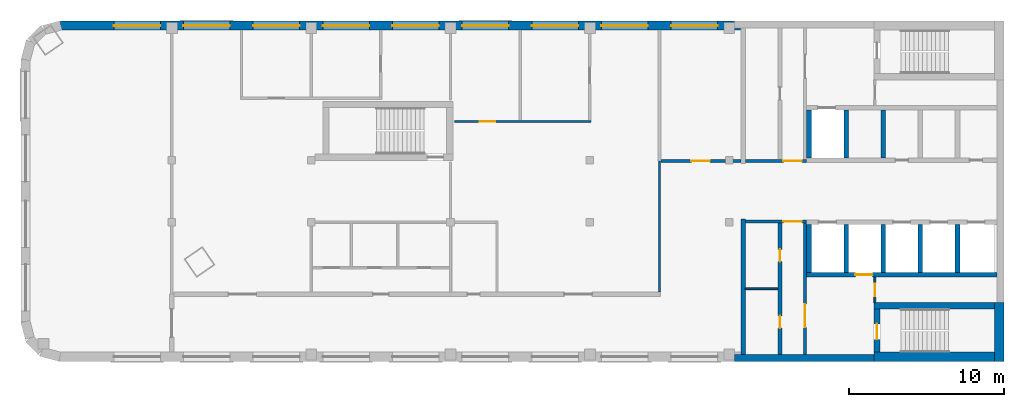
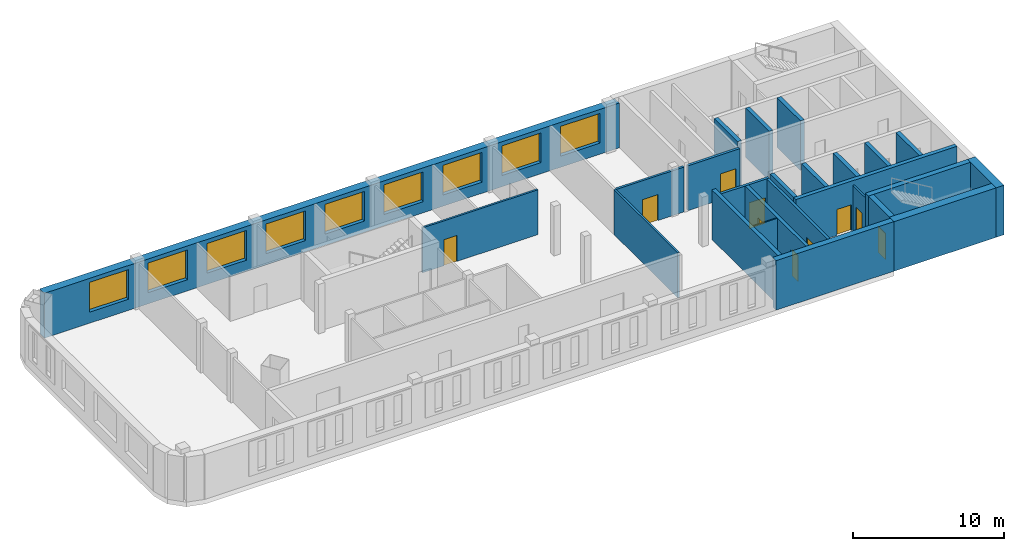
# One storey, part 3 of 5: 25 walls, 10 doors, 9 windows, 19 openings.
"""IFC4 building model written with IfcOpenShell, lengths in metres."""

from ifc_helpers import new_model, si_unit, direction, frame, frame_2d, origin, place, context, subcontext, project, spatial, rectangle, extrude, material, layer, layer_set, type_object, element, fill, save


model = new_model("IFC4")

# Units and contexts
model_context = context("Model", 3, precision=1e-05, world=origin(), true_north=direction((0.0, 1.0)))
body_context = subcontext(model_context, "Body", "Model", "MODEL_VIEW")
ifc_project = project(units=[si_unit("LENGTHUNIT", "METRE"), si_unit("AREAUNIT", "SQUARE_METRE"), si_unit("VOLUMEUNIT", "CUBIC_METRE"), si_unit("PLANEANGLEUNIT", "RADIAN"), si_unit("MASSUNIT", "GRAM", prefix="KILO")], contexts=[model_context])

# Site, building, storey
site_placement = place(None, origin())
site = spatial("IfcSite", under=ifc_project, at=site_placement, CompositionType="ELEMENT")
building_placement = place(site_placement, origin())
building = spatial("IfcBuilding", under=site, at=building_placement, Name="Skarvind Civic Tower", CompositionType="ELEMENT")
storey_placement = place(building_placement, frame((0.0, 0.0, 257.5)))
storey = spatial("IfcBuildingStorey", under=building, at=storey_placement, Name="L61", CompositionType="ELEMENT", Elevation=257.5)

# Wall, opening, door
ifc_material_1 = material(Name="Acoustic gypsum board on steel studs", Category="steel")
ifc_layer_1 = layer(ifc_material_1, 0.175048828125)
ifc_layer_set_1 = layer_set([ifc_layer_1], Name="ACOUSTIC MEETING-ROOM PARTITION 175")
wall_type_1 = type_object("IfcWallType", Name="ACOUSTIC MEETING-ROOM PARTITION 175", PredefinedType="PARTITIONING", material=ifc_layer_set_1)
wall_1_placement = place(storey_placement, frame((85.837890625, 129.949951171875, 0.0), z_axis=(0.0, 0.0, 1.0), x_axis=(1.0, 0.0, 0.0)))
wall_1 = element("IfcWall", 1, at=wall_1_placement, inside=storey, type_object=wall_type_1, Name="Partition 61.023", PredefinedType="PARTITIONING", context=body_context, shape_type="SweptSolid", body=[
    extrude(rectangle(XDim=5.162109375, YDim=0.175048828125, at=frame_2d((2.5810546875, 0.0))), origin(), (0.0, 0.0, 1.0), 3.625),
])
opening_1_placement = place(wall_1_placement, frame((1.970947265625, 0.0, 0.0)))
opening_1 = element("IfcOpeningElement", 2, at=opening_1_placement, cuts=wall_1, Name="Opening L61-D001", PredefinedType="OPENING", context=body_context, shape_type="SweptSolid", body=[
    extrude(rectangle(XDim=1.199951171875, YDim=2.10009765625, at=frame_2d((0.60009765625, 1.050048828125))), frame((0.0, 0.097412109375, 0.0), z_axis=(0.0, -1.0, 0.0), x_axis=(1.0, 0.0, 0.0)), (0.0, 0.0, 1.0), 0.195068359375),
])
ifc_material_2 = material(Name="Timber door leaf", Category="wood")
door_type_1 = type_object("IfcDoorType", Name="DOOR 1200X2100 DOUBLE TIMBER", OperationType="NOTDEFINED", PredefinedType="DOOR", material=ifc_material_2)
door_1_placement = place(opening_1_placement, origin())
door_1 = element("IfcDoor", 3, at=door_1_placement, inside=storey, type_object=door_type_1, Name="Door L61-D001", OperationType="DOUBLE_DOOR_SINGLE_SWING", OverallHeight=2.10009765625, OverallWidth=1.199951171875, PredefinedType="DOOR", context=body_context, shape_type="SweptSolid", body=[
    extrude(rectangle(XDim=1.199951171875, YDim=2.10009765625, at=frame_2d((0.60009765625, 1.050048828125))), frame((0.0, 0.02490234375, 0.0), z_axis=(0.0, -1.0, 0.0), x_axis=(1.0, 0.0, 0.0)), (0.0, 0.0, 1.0), 0.050048828125),
])
fill(opening_1, door_1)

ifc_material_3 = material(Name="Fire-rated masonry partition", Category="masonry")
ifc_layer_2 = layer(ifc_material_3, 0.199951171875)
ifc_layer_set_2 = layer_set([ifc_layer_2], Name="Core enclosure wall 200")
wall_type_2 = type_object("IfcWallType", Name="Core enclosure wall 200", PredefinedType="PARTITIONING", material=ifc_layer_set_2)
wall_2_placement = place(storey_placement, frame((95.25, 126.050048828125, 0.0), z_axis=(0.0, 0.0, 1.0), x_axis=(-1.0, 0.0, 0.0)))
wall_2 = element("IfcWall", 4, at=wall_2_placement, inside=storey, type_object=wall_type_2, Name="Core wall C1", PredefinedType="PARTITIONING", context=body_context, shape_type="SweptSolid", body=[
    extrude(rectangle(XDim=3.949951171875, YDim=0.199951171875, at=frame_2d((1.97509765625, 0.0))), origin(), (0.0, 0.0, 1.0), 3.625),
])
opening_2_placement = place(wall_2_placement, frame((0.300048828125, 0.0, 0.0)))
opening_2 = element("IfcOpeningElement", 5, at=opening_2_placement, cuts=wall_2, Name="Opening D-L61-C1-07", PredefinedType="OPENING", context=body_context, shape_type="SweptSolid", body=[
    extrude(rectangle(XDim=1.199951171875, YDim=2.10009765625, at=frame_2d((0.60009765625, 1.050048828125))), frame((0.0, 0.10986328125, 0.0), z_axis=(0.0, -1.0, 0.0), x_axis=(1.0, 0.0, 0.0)), (0.0, 0.0, 1.0), 0.219970703125),
])
ifc_material_4 = material(Name="Fire-rated steel door", Category="steel")
door_type_2 = type_object("IfcDoorType", Name="Core lobby door 1200", OperationType="NOTDEFINED", PredefinedType="DOOR", material=ifc_material_4)
door_2_placement = place(opening_2_placement, origin())
door_2 = element("IfcDoor", 6, at=door_2_placement, inside=storey, type_object=door_type_2, Name="Fire door", OperationType="DOUBLE_DOOR_SINGLE_SWING", OverallHeight=2.10009765625, OverallWidth=1.199951171875, PredefinedType="DOOR", context=body_context, shape_type="SweptSolid", body=[
    extrude(rectangle(XDim=1.199951171875, YDim=2.10009765625, at=frame_2d((0.60009765625, 1.050048828125))), frame((0.0, 0.02490234375, 0.0), z_axis=(0.0, -1.0, 0.0), x_axis=(1.0, 0.0, 0.0)), (0.0, 0.0, 1.0), 0.050048828125),
])
fill(opening_2, door_2)

wall_3_placement = place(storey_placement, frame((95.14990234375, 117.449951171875, 0.0), z_axis=(0.0, 0.0, 1.0), x_axis=(0.0, 1.0, 0.0)))
wall_3 = element("IfcWall", 7, at=wall_3_placement, inside=storey, type_object=wall_type_2, Name="Core wall C1", PredefinedType="PARTITIONING", context=body_context, shape_type="SweptSolid", body=[
    extrude(rectangle(XDim=8.5, YDim=0.199951171875, at=frame_2d((4.25, 0.0))), origin(), (0.0, 0.0, 1.0), 3.625),
])
opening_3_placement = place(wall_3_placement, frame((1.75, 0.0, 0.0)))
opening_3 = element("IfcOpeningElement", 8, at=opening_3_placement, cuts=wall_3, Name="Opening D-L61-C1-08", PredefinedType="OPENING", context=body_context, shape_type="SweptSolid", body=[
    extrude(rectangle(XDim=1.5, YDim=2.10009765625, at=frame_2d((0.75, 1.050048828125))), frame((0.0, 0.10986328125, 0.0), z_axis=(0.0, -1.0, 0.0), x_axis=(1.0, 0.0, 0.0)), (0.0, 0.0, 1.0), 0.219970703125),
])
door_type_3 = type_object("IfcDoorType", Name="Fire door 1500", OperationType="NOTDEFINED", PredefinedType="DOOR", material=ifc_material_4)
door_3_placement = place(opening_3_placement, origin())
door_3 = element("IfcDoor", 9, at=door_3_placement, inside=storey, type_object=door_type_3, Name="Fire door", OperationType="DOUBLE_DOOR_SINGLE_SWING", OverallHeight=2.10009765625, OverallWidth=1.5, PredefinedType="DOOR", context=body_context, shape_type="SweptSolid", body=[
    extrude(rectangle(XDim=1.5, YDim=2.10009765625, at=frame_2d((0.75, 1.050048828125))), frame((0.0, 0.02490234375, 0.0), z_axis=(0.0, -1.0, 0.0), x_axis=(1.0, 0.0, 0.0)), (0.0, 0.0, 1.0), 0.050048828125),
])
fill(opening_3, door_3)

wall_4_placement = place(storey_placement, frame((91.300048828125, 129.949951171875, 0.0), z_axis=(0.0, 0.0, 1.0), x_axis=(1.0, 0.0, 0.0)))
wall_4 = element("IfcWall", 10, at=wall_4_placement, inside=storey, type_object=wall_type_2, Name="Core wall C1", PredefinedType="PARTITIONING", context=body_context, shape_type="SweptSolid", body=[
    extrude(rectangle(XDim=3.949951171875, YDim=0.199951171875, at=frame_2d((1.97509765625, 0.0))), origin(), (0.0, 0.0, 1.0), 3.625),
])
opening_4_placement = place(wall_4_placement, frame((2.449951171875, 0.0, 0.0)))
opening_4 = element("IfcOpeningElement", 11, at=opening_4_placement, cuts=wall_4, Name="Opening D-L61-C1-13", PredefinedType="OPENING", context=body_context, shape_type="SweptSolid", body=[
    extrude(rectangle(XDim=1.199951171875, YDim=2.10009765625, at=frame_2d((0.60009765625, 1.050048828125))), frame((0.0, 0.10986328125, 0.0), z_axis=(0.0, -1.0, 0.0), x_axis=(1.0, 0.0, 0.0)), (0.0, 0.0, 1.0), 0.219970703125),
])
door_4_placement = place(opening_4_placement, origin())
door_4 = element("IfcDoor", 12, at=door_4_placement, inside=storey, type_object=door_type_2, Name="Fire door", OperationType="DOUBLE_DOOR_SINGLE_SWING", OverallHeight=2.10009765625, OverallWidth=1.199951171875, PredefinedType="DOOR", context=body_context, shape_type="SweptSolid", body=[
    extrude(rectangle(XDim=1.199951171875, YDim=2.10009765625, at=frame_2d((0.60009765625, 1.050048828125))), frame((0.0, 0.02490234375, 0.0), z_axis=(0.0, -1.0, 0.0), x_axis=(1.0, 0.0, 0.0)), (0.0, 0.0, 1.0), 0.050048828125),
])
fill(opening_4, door_4)

# Walls
ifc_material_5 = material(Name="Fire-rated plasterboard partition")
ifc_layer_3 = layer(ifc_material_5, 0.10009765625)
ifc_layer_set_3 = layer_set([ifc_layer_3], Name="Core partition wall 100")
wall_type_3 = type_object("IfcWallType", Name="Core partition wall 100", PredefinedType="PARTITIONING", material=ifc_layer_set_3)
wall_5_placement = place(storey_placement, frame((93.39990234375, 121.699951171875, 0.0), z_axis=(0.0, 0.0, 1.0), x_axis=(-1.0, 0.0, 0.0)))
element("IfcWall", 13, at=wall_5_placement, inside=storey, type_object=wall_type_3, Name="Core wall C1", PredefinedType="PARTITIONING", context=body_context, shape_type="SweptSolid", body=[
    extrude(rectangle(XDim=2.099853515625, YDim=0.10009765625, at=frame_2d((1.0498046875, 0.0))), origin(), (0.0, 0.0, 1.0), 3.625),
])
ifc_material_6 = material(Name="Concrete C60", Category="concrete")
ifc_layer_4 = layer(ifc_material_6, 0.300048828125)
ifc_layer_set_4 = layer_set([ifc_layer_4], Name="Core wall 300 C60")
wall_type_4 = type_object("IfcWallType", Name="Core wall 300 C60", PredefinedType="SHEAR", material=ifc_layer_set_4)
for number, where, z_axis, x_axis, name in (
    (14, (100.199951171875, 133.25, 0.0), (0.0, 0.0, 1.0), (0.0, -1.0, 0.0), "Core wall C1 south lift row division 3 L61"),
    (15, (97.800048828125, 133.25, 0.0), (0.0, 0.0, 1.0), (0.0, -1.0, 0.0), "Core wall C1 south lift row division 4 L61"),
    (16, (95.39990234375, 133.25, 0.0), (0.0, 0.0, 1.0), (0.0, -1.0, 0.0), "Core wall C1 south lift row division 5 L61"),
):
    element("IfcWall", number, at=place(storey_placement, frame(where, z_axis=z_axis, x_axis=x_axis)), inside=storey, type_object=wall_type_4, Name=name, PredefinedType="SHEAR", context=body_context, shape_type="SweptSolid", body=[
        extrude(rectangle(XDim=3.10009765625, YDim=0.300048828125, at=frame_2d((1.550048828125, 0.0))), origin(), (0.0, 0.0, 1.0), 4.0),
    ])

# Wall, opening, door
wall_6_placement = place(storey_placement, frame((107.550048828125, 122.60009765625, 0.0), z_axis=(0.0, 0.0, 1.0), x_axis=(-1.0, 0.0, 0.0)))
wall_6 = element("IfcWall", 17, at=wall_6_placement, inside=storey, type_object=wall_type_4, Name="Core wall C1 north lift row back L61", PredefinedType="SHEAR", context=body_context, shape_type="SweptSolid", body=[
    extrude(rectangle(XDim=12.300048828125, YDim=0.300048828125, at=frame_2d((6.14990234375, 0.0))), origin(), (0.0, 0.0, 1.0), 4.0),
])
opening_5_placement = place(wall_6_placement, frame((8.050048828125, 0.0, 0.0)))
opening_5 = element("IfcOpeningElement", 18, at=opening_5_placement, cuts=wall_6, Name="Opening LD63104", PredefinedType="OPENING", context=body_context, shape_type="SweptSolid", body=[
    extrude(rectangle(XDim=1.10009765625, YDim=2.10009765625, at=frame_2d((0.550048828125, 1.050048828125))), frame((0.0, 0.159912109375, 0.0), z_axis=(0.0, -1.0, 0.0), x_axis=(1.0, 0.0, 0.0)), (0.0, 0.0, 1.0), 0.320068359375),
])
ifc_material_7 = material(Name="Stainless steel landing door", Category="steel")
door_type_4 = type_object("IfcDoorType", Name="Lift landing door 1100", OperationType="DOUBLE_DOOR_SLIDING", PredefinedType="DOOR", material=ifc_material_7)
door_5_placement = place(opening_5_placement, origin())
door_5 = element("IfcDoor", 19, at=door_5_placement, inside=storey, type_object=door_type_4, Name="Lift landing door", OperationType="DOUBLE_DOOR_SLIDING", OverallHeight=2.10009765625, OverallWidth=1.10009765625, PredefinedType="DOOR", context=body_context, shape_type="SweptSolid", body=[
    extrude(rectangle(XDim=1.10009765625, YDim=2.10009765625, at=frame_2d((0.550048828125, 1.050048828125))), frame((0.0, 0.02490234375, 0.0), z_axis=(0.0, -1.0, 0.0), x_axis=(1.0, 0.0, 0.0)), (0.0, 0.0, 1.0), 0.050048828125),
])
fill(opening_5, door_5)

# Walls
for number, where, z_axis, x_axis, name in (
    (20, (105.0, 125.85009765625, 0.0), (0.0, 0.0, 1.0), (0.0, -1.0, 0.0), "Core wall C1 north lift row division 1 L61"),
    (21, (102.60009765625, 125.85009765625, 0.0), (0.0, 0.0, 1.0), (0.0, -1.0, 0.0), "Core wall C1 north lift row division 2 L61"),
    (22, (100.199951171875, 125.85009765625, 0.0), (0.0, 0.0, 1.0), (0.0, -1.0, 0.0), "Core wall C1 north lift row division 3 L61"),
    (23, (97.800048828125, 125.85009765625, 0.0), (0.0, 0.0, 1.0), (0.0, -1.0, 0.0), "Core wall C1 north lift row division 4 L61"),
    (24, (95.39990234375, 125.85009765625, 0.0), (0.0, 0.0, 1.0), (0.0, -1.0, 0.0), "Core wall C1 north lift row division 5 L61"),
):
    element("IfcWall", number, at=place(storey_placement, frame(where, z_axis=z_axis, x_axis=x_axis)), inside=storey, type_object=wall_type_4, Name=name, PredefinedType="SHEAR", context=body_context, shape_type="SweptSolid", body=[
        extrude(rectangle(XDim=3.10009765625, YDim=0.300048828125, at=frame_2d((1.550048828125, 0.0))), origin(), (0.0, 0.0, 1.0), 4.0),
    ])
wall_7_placement = place(storey_placement, frame((91.14990234375, 126.199951171875, 0.0), z_axis=(0.0, 0.0, 1.0), x_axis=(0.0, -1.0, 0.0)))
element("IfcWall", 25, at=wall_7_placement, inside=storey, type_object=wall_type_4, Name="Core wall C1 north inner face L61", PredefinedType="SHEAR", context=body_context, shape_type="SweptSolid", body=[
    extrude(rectangle(XDim=8.75, YDim=0.300048828125, at=frame_2d((4.375, 0.0))), origin(), (0.0, 0.0, 1.0), 4.0),
])
ifc_layer_5 = layer(ifc_material_6, 0.39990234375)
ifc_layer_set_5 = layer_set([ifc_layer_5], Name="Core wall 400 C60")
wall_type_5 = type_object("IfcWallType", Name="Core wall 400 C60", PredefinedType="SHEAR", material=ifc_layer_set_5)
wall_8_placement = place(storey_placement, frame((107.39990234375, 120.60009765625, 0.0), z_axis=(0.0, 0.0, 1.0), x_axis=(-1.0, 0.0, 0.0)))
element("IfcWall", 26, at=wall_8_placement, inside=storey, type_object=wall_type_5, Name="Core wall C1 north stair inner L61", PredefinedType="SHEAR", context=body_context, shape_type="SweptSolid", body=[
    extrude(rectangle(XDim=7.7998046875, YDim=0.39990234375, at=frame_2d((3.89990234375, 0.0))), origin(), (0.0, 0.0, 1.0), 4.0),
])

# Wall, opening, door
wall_9_placement = place(storey_placement, frame((99.800048828125, 120.39990234375, 0.0), z_axis=(0.0, 0.0, 1.0), x_axis=(0.0, -1.0, 0.0)))
wall_9 = element("IfcWall", 27, at=wall_9_placement, inside=storey, type_object=wall_type_5, Name="Core wall C1 north stair end L61", PredefinedType="SHEAR", context=body_context, shape_type="SweptSolid", body=[
    extrude(rectangle(XDim=2.7998046875, YDim=0.39990234375, at=frame_2d((1.39990234375, 0.0))), origin(), (0.0, 0.0, 1.0), 4.0),
])
opening_6_placement = place(wall_9_placement, frame((0.97509765625, 0.0, 0.0)))
opening_6 = element("IfcOpeningElement", 28, at=opening_6_placement, cuts=wall_9, Name="Opening D-L61-C1-09", PredefinedType="OPENING", context=body_context, shape_type="SweptSolid", body=[
    extrude(rectangle(XDim=1.0, YDim=2.10009765625, at=frame_2d((0.5, 1.050048828125))), frame((0.0, 0.2099609375, 0.0), z_axis=(0.0, -1.0, 0.0), x_axis=(1.0, 0.0, 0.0)), (0.0, 0.0, 1.0), 0.419921875),
])
door_type_5 = type_object("IfcDoorType", Name="Fire door 1000", OperationType="NOTDEFINED", PredefinedType="DOOR", material=ifc_material_4)
door_6_placement = place(opening_6_placement, origin())
door_6 = element("IfcDoor", 29, at=door_6_placement, inside=storey, type_object=door_type_5, Name="Fire door", OperationType="SINGLE_SWING_LEFT", OverallHeight=2.10009765625, OverallWidth=1.0, PredefinedType="DOOR", context=body_context, shape_type="SweptSolid", body=[
    extrude(rectangle(XDim=1.0, YDim=2.10009765625, at=frame_2d((0.5, 1.050048828125))), frame((0.0, 0.02490234375, 0.0), z_axis=(0.0, -1.0, 0.0), x_axis=(1.0, 0.0, 0.0)), (0.0, 0.0, 1.0), 0.050048828125),
])
fill(opening_6, door_6)

# Walls
ifc_layer_6 = layer(ifc_material_6, 0.449951171875)
ifc_layer_set_6 = layer_set([ifc_layer_6], Name="Core wall 450 C60")
wall_type_6 = type_object("IfcWallType", Name="Core wall 450 C60", PredefinedType="SHEAR", material=ifc_layer_set_6)
wall_10_placement = place(storey_placement, frame((99.60009765625, 117.22509765625, 0.0), z_axis=(0.0, 0.0, 1.0), x_axis=(-1.0, 0.0, 0.0)))
element("IfcWall", 30, at=wall_10_placement, inside=storey, type_object=wall_type_6, Name="Core wall C1 north side L61", PredefinedType="SHEAR", context=body_context, shape_type="SweptSolid", body=[
    extrude(rectangle(XDim=9.0, YDim=0.449951171875, at=frame_2d((4.5, 0.0))), origin(), (0.0, 0.0, 1.0), 4.0),
])
ifc_layer_7 = layer(ifc_material_6, 0.60009765625)
ifc_layer_set_7 = layer_set([ifc_layer_7], Name="Core wall 600 C60")
wall_type_7 = type_object("IfcWallType", Name="Core wall 600 C60", PredefinedType="SHEAR", material=ifc_layer_set_7)
wall_11_placement = place(storey_placement, frame((107.699951171875, 120.800048828125, 0.0), z_axis=(0.0, 0.0, 1.0), x_axis=(0.0, -1.0, 0.0)))
element("IfcWall", 31, at=wall_11_placement, inside=storey, type_object=wall_type_7, Name="Core wall C1 tip at the north stair L61", PredefinedType="SHEAR", context=body_context, shape_type="SweptSolid", body=[
    extrude(rectangle(XDim=3.800048828125, YDim=0.60009765625, at=frame_2d((1.89990234375, 0.0))), origin(), (0.0, 0.0, 1.0), 4.0),
])
wall_12_placement = place(storey_placement, frame((107.39990234375, 117.300048828125, 0.0), z_axis=(0.0, 0.0, 1.0), x_axis=(-1.0, 0.0, 0.0)))
element("IfcWall", 32, at=wall_12_placement, inside=storey, type_object=wall_type_7, Name="Core wall C1 north side at the stair L61", PredefinedType="SHEAR", context=body_context, shape_type="SweptSolid", body=[
    extrude(rectangle(XDim=7.7998046875, YDim=0.60009765625, at=frame_2d((3.89990234375, 0.0))), origin(), (0.0, 0.0, 1.0), 4.0),
])

# Wall, opening, door
ifc_material_8 = material(Name="Plasterboard partition on steel studs", Category="steel")
ifc_layer_8 = layer(ifc_material_8, 0.14990234375)
ifc_layer_set_8 = layer_set([ifc_layer_8], Name="PARTITION 150")
wall_type_8 = type_object("IfcWallType", Name="PARTITION 150", PredefinedType="PARTITIONING", material=ifc_layer_set_8)
wall_13_placement = place(storey_placement, frame((81.324951171875, 132.5, 0.0), z_axis=(0.0, 0.0, 1.0), x_axis=(-1.0, 0.0, 0.0)))
wall_13 = element("IfcWall", 33, at=wall_13_placement, inside=storey, type_object=wall_type_8, Name="Partition 61.016", PredefinedType="PARTITIONING", context=body_context, shape_type="SweptSolid", body=[
    extrude(rectangle(XDim=8.824951171875, YDim=0.14990234375, at=frame_2d((4.41259765625, 0.0))), origin(), (0.0, 0.0, 1.0), 3.625),
])
opening_7_placement = place(wall_13_placement, frame((6.199951171875, 0.0, 0.0)))
opening_7 = element("IfcOpeningElement", 34, at=opening_7_placement, cuts=wall_13, Name="Opening L61-D004", PredefinedType="OPENING", context=body_context, shape_type="SweptSolid", body=[
    extrude(rectangle(XDim=1.0, YDim=2.10009765625, at=frame_2d((0.5, 1.050048828125))), frame((0.0, 0.0849609375, 0.0), z_axis=(0.0, -1.0, 0.0), x_axis=(1.0, 0.0, 0.0)), (0.0, 0.0, 1.0), 0.169921875),
])
door_type_6 = type_object("IfcDoorType", Name="D1 1000x2100", OperationType="NOTDEFINED", PredefinedType="DOOR", material=ifc_material_2)
door_7_placement = place(opening_7_placement, origin())
door_7 = element("IfcDoor", 35, at=door_7_placement, inside=storey, type_object=door_type_6, Name="Door L61-D004", OperationType="SINGLE_SWING_RIGHT", OverallHeight=2.10009765625, OverallWidth=1.0, PredefinedType="DOOR", context=body_context, shape_type="SweptSolid", body=[
    extrude(rectangle(XDim=1.0, YDim=2.10009765625, at=frame_2d((0.5, 1.050048828125))), frame((0.0, 0.02490234375, 0.0), z_axis=(0.0, -1.0, 0.0), x_axis=(1.0, 0.0, 0.0)), (0.0, 0.0, 1.0), 0.050048828125),
])
fill(opening_7, door_7)

# Wall
wall_14_placement = place(storey_placement, frame((85.75, 121.5, 0.0), z_axis=(0.0, 0.0, 1.0), x_axis=(0.0, 1.0, 0.0)))
element("IfcWall", 36, at=wall_14_placement, inside=storey, type_object=wall_type_8, Name="Partition 61.021", PredefinedType="PARTITIONING", context=body_context, shape_type="SweptSolid", body=[
    extrude(rectangle(XDim=8.449951171875, YDim=0.14990234375, at=frame_2d((4.22509765625, 0.0))), origin(), (0.0, 0.0, 1.0), 3.625),
])

# Wall, opening, door
ifc_layer_9 = layer(ifc_material_3, 0.125)
ifc_layer_set_9 = layer_set([ifc_layer_9], Name="Riser wall 125")
wall_type_9 = type_object("IfcWallType", Name="Riser wall 125", PredefinedType="PARTITIONING", material=ifc_layer_set_9)
wall_15_placement = place(storey_placement, frame((99.66259765625, 120.800048828125, 0.0), z_axis=(0.0, 0.0, 1.0), x_axis=(0.0, 1.0, 0.0)))
wall_15 = element("IfcWall", 37, at=wall_15_placement, inside=storey, type_object=wall_type_9, Name="Core wall C1", PredefinedType="PARTITIONING", context=body_context, shape_type="SweptSolid", body=[
    extrude(rectangle(XDim=1.64990234375, YDim=0.125, at=frame_2d((0.824951171875, 0.0))), origin(), (0.0, 0.0, 1.0), 3.625),
])
opening_8_placement = place(wall_15_placement, frame((0.425048828125, 0.0, 0.0)))
opening_8 = element("IfcOpeningElement", 38, at=opening_8_placement, cuts=wall_15, Name="Opening D-L61-C1-10", PredefinedType="OPENING", context=body_context, shape_type="SweptSolid", body=[
    extrude(rectangle(XDim=0.800048828125, YDim=2.10009765625, at=frame_2d((0.39990234375, 1.050048828125))), frame((0.0, 0.072509765625, 0.0), z_axis=(0.0, -1.0, 0.0), x_axis=(1.0, 0.0, 0.0)), (0.0, 0.0, 1.0), 0.14501953125),
])
door_type_7 = type_object("IfcDoorType", Name="Core riser door 800", OperationType="NOTDEFINED", PredefinedType="DOOR", material=ifc_material_4)
door_8_placement = place(opening_8_placement, origin())
door_8 = element("IfcDoor", 39, at=door_8_placement, inside=storey, type_object=door_type_7, Name="Riser door", OperationType="SINGLE_SWING_RIGHT", OverallHeight=2.10009765625, OverallWidth=0.800048828125, PredefinedType="DOOR", context=body_context, shape_type="SweptSolid", body=[
    extrude(rectangle(XDim=0.800048828125, YDim=2.10009765625, at=frame_2d((0.39990234375, 1.050048828125))), frame((0.0, 0.02490234375, 0.0), z_axis=(0.0, -1.0, 0.0), x_axis=(1.0, 0.0, 0.0)), (0.0, 0.0, 1.0), 0.050048828125),
])
fill(opening_8, door_8)

# Wall, openings, doors
ifc_layer_10 = layer(ifc_material_3, 0.25)
ifc_layer_set_10 = layer_set([ifc_layer_10], Name="Service block wall 250")
wall_type_10 = type_object("IfcWallType", Name="Service block wall 250", PredefinedType="PARTITIONING", material=ifc_layer_set_10)
wall_16_placement = place(storey_placement, frame((93.52490234375, 117.449951171875, 0.0), z_axis=(0.0, 0.0, 1.0), x_axis=(0.0, 1.0, 0.0)))
wall_16 = element("IfcWall", 40, at=wall_16_placement, inside=storey, type_object=wall_type_10, Name="Core wall C1", PredefinedType="PARTITIONING", context=body_context, shape_type="SweptSolid", body=[
    extrude(rectangle(XDim=8.5, YDim=0.25, at=frame_2d((4.25, 0.0))), origin(), (0.0, 0.0, 1.0), 3.625),
])
opening_9_placement = place(wall_16_placement, frame((6.0, 0.0, 0.0)))
opening_9 = element("IfcOpeningElement", 41, at=opening_9_placement, cuts=wall_16, Name="Opening D-L61-C1-11", PredefinedType="OPENING", context=body_context, shape_type="SweptSolid", body=[
    extrude(rectangle(XDim=0.800048828125, YDim=2.10009765625, at=frame_2d((0.39990234375, 1.050048828125))), frame((0.0, 0.135009765625, 0.0), z_axis=(0.0, -1.0, 0.0), x_axis=(1.0, 0.0, 0.0)), (0.0, 0.0, 1.0), 0.27001953125),
])
opening_10_placement = place(wall_16_placement, frame((1.699951171875, 0.0, 0.0)))
opening_10 = element("IfcOpeningElement", 42, at=opening_10_placement, cuts=wall_16, Name="Opening D-L61-C1-12", PredefinedType="OPENING", context=body_context, shape_type="SweptSolid", body=[
    extrude(rectangle(XDim=0.800048828125, YDim=2.10009765625, at=frame_2d((0.39990234375, 1.050048828125))), frame((0.0, 0.135009765625, 0.0), z_axis=(0.0, -1.0, 0.0), x_axis=(1.0, 0.0, 0.0)), (0.0, 0.0, 1.0), 0.27001953125),
])
door_9_placement = place(opening_9_placement, origin())
door_9 = element("IfcDoor", 43, at=door_9_placement, inside=storey, type_object=door_type_7, Name="Riser door", OperationType="SINGLE_SWING_LEFT", OverallHeight=2.10009765625, OverallWidth=0.800048828125, PredefinedType="DOOR", context=body_context, shape_type="SweptSolid", body=[
    extrude(rectangle(XDim=0.800048828125, YDim=2.10009765625, at=frame_2d((0.39990234375, 1.050048828125))), frame((0.0, 0.02490234375, 0.0), z_axis=(0.0, -1.0, 0.0), x_axis=(1.0, 0.0, 0.0)), (0.0, 0.0, 1.0), 0.050048828125),
])
fill(opening_9, door_9)
door_10_placement = place(opening_10_placement, origin())
door_10 = element("IfcDoor", 44, at=door_10_placement, inside=storey, type_object=door_type_7, Name="Riser door", OperationType="SINGLE_SWING_RIGHT", OverallHeight=2.10009765625, OverallWidth=0.800048828125, PredefinedType="DOOR", context=body_context, shape_type="SweptSolid", body=[
    extrude(rectangle(XDim=0.800048828125, YDim=2.10009765625, at=frame_2d((0.39990234375, 1.050048828125))), frame((0.0, 0.02490234375, 0.0), z_axis=(0.0, -1.0, 0.0), x_axis=(1.0, 0.0, 0.0)), (0.0, 0.0, 1.0), 0.050048828125),
])
fill(opening_10, door_10)

# Wall, openings, windows
ifc_material_9 = material(Name="Standing-seam zinc cladding on insulated backing")
ifc_layer_11 = layer(ifc_material_9, 0.60009765625)
ifc_layer_set_11 = layer_set([ifc_layer_11], Name="WX2 ZINC-CLAD FACADE WALL 600")
wall_type_11 = type_object("IfcWallType", Name="WX2 ZINC-CLAD FACADE WALL 600", PredefinedType="SOLIDWALL", material=ifc_layer_set_11)
wall_17_placement = place(storey_placement, frame((47.070068359375, 138.699951171875, 0.0), z_axis=(0.0, 0.0, 1.0), x_axis=(1.0, 0.0, 0.0)))
wall_17 = element("IfcWall", 45, at=wall_17_placement, inside=storey, type_object=wall_type_11, Name="ZINC-CLAD FACADE WALL", PredefinedType="SOLIDWALL", context=body_context, shape_type="SweptSolid", body=[
    extrude(rectangle(XDim=43.909912109375, YDim=0.60009765625, at=frame_2d((21.955078125, 0.0))), origin(), (0.0, 0.0, 1.0), 3.625),
])
opening_11_placement = place(wall_17_placement, frame((3.429931640625, 0.0, 0.89990234375)))
opening_11 = element("IfcOpeningElement", 46, at=opening_11_placement, cuts=wall_17, Name="Opening WN4", PredefinedType="OPENING", context=body_context, shape_type="SweptSolid", body=[
    extrude(rectangle(XDim=3.0, YDim=2.39990234375, at=frame_2d((1.5, 1.199951171875))), frame((0.0, 0.31005859375, 0.0), z_axis=(0.0, -1.0, 0.0), x_axis=(1.0, 0.0, 0.0)), (0.0, 0.0, 1.0), 0.6201171875),
])
opening_12_placement = place(wall_17_placement, frame((7.929931640625, 0.0, 0.89990234375)))
opening_12 = element("IfcOpeningElement", 47, at=opening_12_placement, cuts=wall_17, Name="Opening WN4", PredefinedType="OPENING", context=body_context, shape_type="SweptSolid", body=[
    extrude(rectangle(XDim=3.0, YDim=2.39990234375, at=frame_2d((1.5, 1.199951171875))), frame((0.0, 0.31005859375, 0.0), z_axis=(0.0, -1.0, 0.0), x_axis=(1.0, 0.0, 0.0)), (0.0, 0.0, 1.0), 0.6201171875),
])
opening_13_placement = place(wall_17_placement, frame((12.429931640625, 0.0, 0.89990234375)))
opening_13 = element("IfcOpeningElement", 48, at=opening_13_placement, cuts=wall_17, Name="Opening WN4", PredefinedType="OPENING", context=body_context, shape_type="SweptSolid", body=[
    extrude(rectangle(XDim=3.0, YDim=2.39990234375, at=frame_2d((1.5, 1.199951171875))), frame((0.0, 0.31005859375, 0.0), z_axis=(0.0, -1.0, 0.0), x_axis=(1.0, 0.0, 0.0)), (0.0, 0.0, 1.0), 0.6201171875),
])
opening_14_placement = place(wall_17_placement, frame((16.929931640625, 0.0, 0.89990234375)))
opening_14 = element("IfcOpeningElement", 49, at=opening_14_placement, cuts=wall_17, Name="Opening WN4", PredefinedType="OPENING", context=body_context, shape_type="SweptSolid", body=[
    extrude(rectangle(XDim=3.0, YDim=2.39990234375, at=frame_2d((1.5, 1.199951171875))), frame((0.0, 0.31005859375, 0.0), z_axis=(0.0, -1.0, 0.0), x_axis=(1.0, 0.0, 0.0)), (0.0, 0.0, 1.0), 0.6201171875),
])
opening_15_placement = place(wall_17_placement, frame((21.429931640625, 0.0, 0.89990234375)))
opening_15 = element("IfcOpeningElement", 50, at=opening_15_placement, cuts=wall_17, Name="Opening WN4", PredefinedType="OPENING", context=body_context, shape_type="SweptSolid", body=[
    extrude(rectangle(XDim=3.0, YDim=2.39990234375, at=frame_2d((1.5, 1.199951171875))), frame((0.0, 0.31005859375, 0.0), z_axis=(0.0, -1.0, 0.0), x_axis=(1.0, 0.0, 0.0)), (0.0, 0.0, 1.0), 0.6201171875),
])
opening_16_placement = place(wall_17_placement, frame((25.929931640625, 0.0, 0.89990234375)))
opening_16 = element("IfcOpeningElement", 51, at=opening_16_placement, cuts=wall_17, Name="Opening WN4", PredefinedType="OPENING", context=body_context, shape_type="SweptSolid", body=[
    extrude(rectangle(XDim=3.0, YDim=2.39990234375, at=frame_2d((1.5, 1.199951171875))), frame((0.0, 0.31005859375, 0.0), z_axis=(0.0, -1.0, 0.0), x_axis=(1.0, 0.0, 0.0)), (0.0, 0.0, 1.0), 0.6201171875),
])
opening_17_placement = place(wall_17_placement, frame((30.429931640625, 0.0, 0.89990234375)))
opening_17 = element("IfcOpeningElement", 52, at=opening_17_placement, cuts=wall_17, Name="Opening WN4", PredefinedType="OPENING", context=body_context, shape_type="SweptSolid", body=[
    extrude(rectangle(XDim=3.0, YDim=2.39990234375, at=frame_2d((1.5, 1.199951171875))), frame((0.0, 0.31005859375, 0.0), z_axis=(0.0, -1.0, 0.0), x_axis=(1.0, 0.0, 0.0)), (0.0, 0.0, 1.0), 0.6201171875),
])
opening_18_placement = place(wall_17_placement, frame((34.929931640625, 0.0, 0.89990234375)))
opening_18 = element("IfcOpeningElement", 53, at=opening_18_placement, cuts=wall_17, Name="Opening WN4", PredefinedType="OPENING", context=body_context, shape_type="SweptSolid", body=[
    extrude(rectangle(XDim=3.0, YDim=2.39990234375, at=frame_2d((1.5, 1.199951171875))), frame((0.0, 0.31005859375, 0.0), z_axis=(0.0, -1.0, 0.0), x_axis=(1.0, 0.0, 0.0)), (0.0, 0.0, 1.0), 0.6201171875),
])
opening_19_placement = place(wall_17_placement, frame((39.429931640625, 0.0, 0.89990234375)))
opening_19 = element("IfcOpeningElement", 54, at=opening_19_placement, cuts=wall_17, Name="Opening WN4", PredefinedType="OPENING", context=body_context, shape_type="SweptSolid", body=[
    extrude(rectangle(XDim=3.0, YDim=2.39990234375, at=frame_2d((1.5, 1.199951171875))), frame((0.0, 0.31005859375, 0.0), z_axis=(0.0, -1.0, 0.0), x_axis=(1.0, 0.0, 0.0)), (0.0, 0.0, 1.0), 0.6201171875),
])
ifc_material_10 = material(Name="Timber frame, double glazing, copper-lined reveal", Category="wood")
window_type = type_object("IfcWindowType", Name="WN4 COPPER-LINED WINDOW 3000 x 2400", PartitioningType="SINGLE_PANEL", PredefinedType="WINDOW", material=ifc_material_10)
window_1_placement = place(opening_11_placement, origin())
window_1 = element("IfcWindow", 55, at=window_1_placement, inside=storey, type_object=window_type, Name="WN4 WINDOW", OverallHeight=2.39990234375, OverallWidth=3.0, PartitioningType="SINGLE_PANEL", PredefinedType="WINDOW", context=body_context, shape_type="SweptSolid", body=[
    extrude(rectangle(XDim=3.0, YDim=2.39990234375, at=frame_2d((1.5, 1.199951171875))), frame((0.0, 0.030029296875, 0.0), z_axis=(0.0, -1.0, 0.0), x_axis=(1.0, 0.0, 0.0)), (0.0, 0.0, 1.0), 0.06005859375),
])
fill(opening_11, window_1)
window_2_placement = place(opening_12_placement, origin())
window_2 = element("IfcWindow", 56, at=window_2_placement, inside=storey, type_object=window_type, Name="WN4 WINDOW", OverallHeight=2.39990234375, OverallWidth=3.0, PartitioningType="SINGLE_PANEL", PredefinedType="WINDOW", context=body_context, shape_type="SweptSolid", body=[
    extrude(rectangle(XDim=3.0, YDim=2.39990234375, at=frame_2d((1.5, 1.199951171875))), frame((0.0, 0.030029296875, 0.0), z_axis=(0.0, -1.0, 0.0), x_axis=(1.0, 0.0, 0.0)), (0.0, 0.0, 1.0), 0.06005859375),
])
fill(opening_12, window_2)
window_3_placement = place(opening_13_placement, origin())
window_3 = element("IfcWindow", 57, at=window_3_placement, inside=storey, type_object=window_type, Name="WN4 WINDOW", OverallHeight=2.39990234375, OverallWidth=3.0, PartitioningType="SINGLE_PANEL", PredefinedType="WINDOW", context=body_context, shape_type="SweptSolid", body=[
    extrude(rectangle(XDim=3.0, YDim=2.39990234375, at=frame_2d((1.5, 1.199951171875))), frame((0.0, 0.030029296875, 0.0), z_axis=(0.0, -1.0, 0.0), x_axis=(1.0, 0.0, 0.0)), (0.0, 0.0, 1.0), 0.06005859375),
])
fill(opening_13, window_3)
window_4_placement = place(opening_14_placement, origin())
window_4 = element("IfcWindow", 58, at=window_4_placement, inside=storey, type_object=window_type, Name="WN4 WINDOW", OverallHeight=2.39990234375, OverallWidth=3.0, PartitioningType="SINGLE_PANEL", PredefinedType="WINDOW", context=body_context, shape_type="SweptSolid", body=[
    extrude(rectangle(XDim=3.0, YDim=2.39990234375, at=frame_2d((1.5, 1.199951171875))), frame((0.0, 0.030029296875, 0.0), z_axis=(0.0, -1.0, 0.0), x_axis=(1.0, 0.0, 0.0)), (0.0, 0.0, 1.0), 0.06005859375),
])
fill(opening_14, window_4)
window_5_placement = place(opening_15_placement, origin())
window_5 = element("IfcWindow", 59, at=window_5_placement, inside=storey, type_object=window_type, Name="WN4 WINDOW", OverallHeight=2.39990234375, OverallWidth=3.0, PartitioningType="SINGLE_PANEL", PredefinedType="WINDOW", context=body_context, shape_type="SweptSolid", body=[
    extrude(rectangle(XDim=3.0, YDim=2.39990234375, at=frame_2d((1.5, 1.199951171875))), frame((0.0, 0.030029296875, 0.0), z_axis=(0.0, -1.0, 0.0), x_axis=(1.0, 0.0, 0.0)), (0.0, 0.0, 1.0), 0.06005859375),
])
fill(opening_15, window_5)
window_6_placement = place(opening_16_placement, origin())
window_6 = element("IfcWindow", 60, at=window_6_placement, inside=storey, type_object=window_type, Name="WN4 WINDOW", OverallHeight=2.39990234375, OverallWidth=3.0, PartitioningType="SINGLE_PANEL", PredefinedType="WINDOW", context=body_context, shape_type="SweptSolid", body=[
    extrude(rectangle(XDim=3.0, YDim=2.39990234375, at=frame_2d((1.5, 1.199951171875))), frame((0.0, 0.030029296875, 0.0), z_axis=(0.0, -1.0, 0.0), x_axis=(1.0, 0.0, 0.0)), (0.0, 0.0, 1.0), 0.06005859375),
])
fill(opening_16, window_6)
window_7_placement = place(opening_17_placement, origin())
window_7 = element("IfcWindow", 61, at=window_7_placement, inside=storey, type_object=window_type, Name="WN4 WINDOW", OverallHeight=2.39990234375, OverallWidth=3.0, PartitioningType="SINGLE_PANEL", PredefinedType="WINDOW", context=body_context, shape_type="SweptSolid", body=[
    extrude(rectangle(XDim=3.0, YDim=2.39990234375, at=frame_2d((1.5, 1.199951171875))), frame((0.0, 0.030029296875, 0.0), z_axis=(0.0, -1.0, 0.0), x_axis=(1.0, 0.0, 0.0)), (0.0, 0.0, 1.0), 0.06005859375),
])
fill(opening_17, window_7)
window_8_placement = place(opening_18_placement, origin())
window_8 = element("IfcWindow", 62, at=window_8_placement, inside=storey, type_object=window_type, Name="WN4 WINDOW", OverallHeight=2.39990234375, OverallWidth=3.0, PartitioningType="SINGLE_PANEL", PredefinedType="WINDOW", context=body_context, shape_type="SweptSolid", body=[
    extrude(rectangle(XDim=3.0, YDim=2.39990234375, at=frame_2d((1.5, 1.199951171875))), frame((0.0, 0.030029296875, 0.0), z_axis=(0.0, -1.0, 0.0), x_axis=(1.0, 0.0, 0.0)), (0.0, 0.0, 1.0), 0.06005859375),
])
fill(opening_18, window_8)
window_9_placement = place(opening_19_placement, origin())
window_9 = element("IfcWindow", 63, at=window_9_placement, inside=storey, type_object=window_type, Name="WN4 WINDOW", OverallHeight=2.39990234375, OverallWidth=3.0, PartitioningType="SINGLE_PANEL", PredefinedType="WINDOW", context=body_context, shape_type="SweptSolid", body=[
    extrude(rectangle(XDim=3.0, YDim=2.39990234375, at=frame_2d((1.5, 1.199951171875))), frame((0.0, 0.030029296875, 0.0), z_axis=(0.0, -1.0, 0.0), x_axis=(1.0, 0.0, 0.0)), (0.0, 0.0, 1.0), 0.06005859375),
])
fill(opening_19, window_9)

save(model, "model.ifc")
